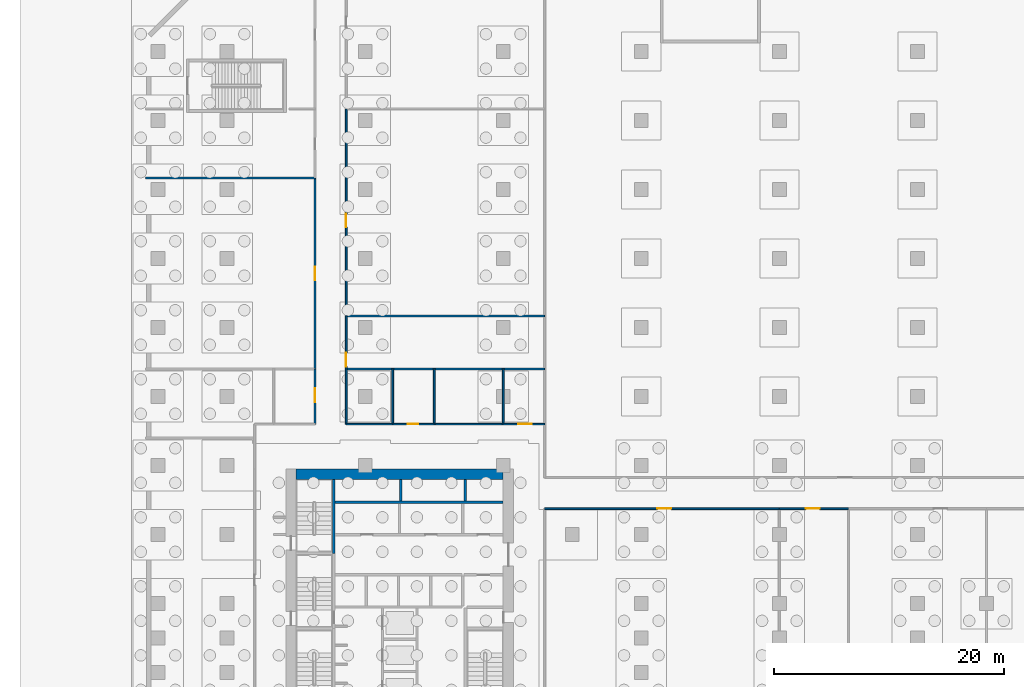
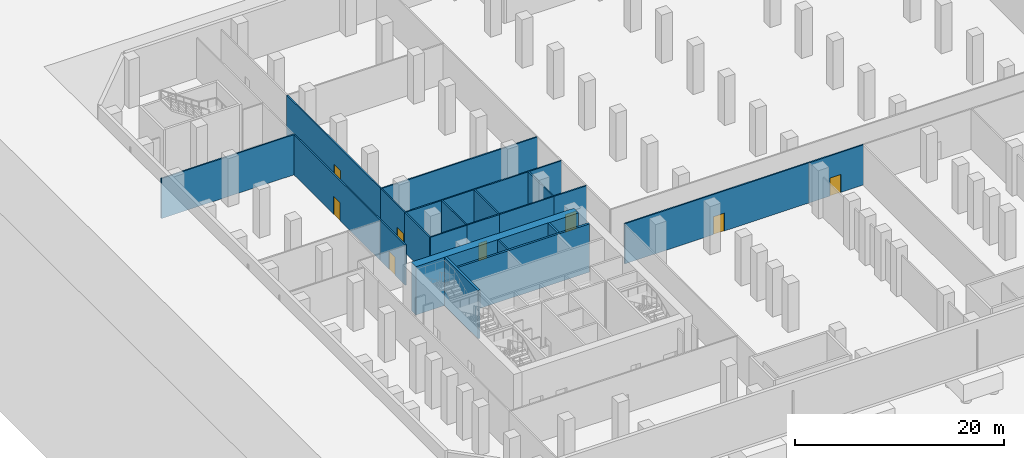
# One storey, part 8 of 16: 22 walls, 8 doors, 8 openings.
"""IFC4 building model written with IfcOpenShell, lengths in metres."""

from ifc_helpers import new_model, si_unit, direction, frame, frame_2d, origin, place, context, subcontext, project, spatial, rectangle, extrude, material, layer, layer_set, type_object, element, fill, save


model = new_model("IFC4")

# Units and contexts
model_context = context("Model", 3, precision=1e-05, world=origin(), true_north=direction((0.0, 1.0)))
body_context = subcontext(model_context, "Body", "Model", "MODEL_VIEW")
ifc_project = project(units=[si_unit("LENGTHUNIT", "METRE"), si_unit("AREAUNIT", "SQUARE_METRE"), si_unit("VOLUMEUNIT", "CUBIC_METRE"), si_unit("PLANEANGLEUNIT", "RADIAN"), si_unit("MASSUNIT", "GRAM", prefix="KILO")], contexts=[model_context])

# Site, building, storey
site_placement = place(None, origin())
site = spatial("IfcSite", under=ifc_project, at=site_placement, CompositionType="ELEMENT")
building_placement = place(site_placement, origin())
building = spatial("IfcBuilding", under=site, at=building_placement, Name="Welwitschia Terrace Campus", CompositionType="ELEMENT")
storey_placement = place(building_placement, frame((0.0, 0.0, -6.0)))
storey = spatial("IfcBuildingStorey", under=building, at=storey_placement, Name="B1", CompositionType="ELEMENT", Elevation=-6.0)

# Walls
ifc_material_1 = material(Name="Concrete C32/40", Category="concrete")
ifc_layer_1 = layer(ifc_material_1, 0.22509765625)
ifc_layer_set_1 = layer_set([ifc_layer_1], Name="Concrete C32/40")
wall_type_1 = type_object("IfcWallType", Name="Core partition 225 Concrete C32/40", PredefinedType="PARTITIONING", material=ifc_layer_set_1)
wall_1_placement = place(storey_placement, frame((9.39990234375, 22.800048828125, 0.0), z_axis=(0.0, 0.0, 1.0), x_axis=(1.0, 0.0, 0.0)))
element("IfcWall", 1, at=wall_1_placement, inside=storey, type_object=wall_type_1, Name="Shaft wall", PredefinedType="PARTITIONING", context=body_context, shape_type="SweptSolid", body=[
    extrude(rectangle(XDim=14.60009765625, YDim=0.22509765625, at=frame_2d((7.300048828125, 0.0))), origin(), (0.0, 0.0, 1.0), 5.64990234375),
])
ifc_material_2 = material(Name="Concrete C50/60", Category="concrete")
ifc_layer_2 = layer(ifc_material_2, 0.199951171875)
ifc_layer_set_2 = layer_set([ifc_layer_2], Name="Concrete C50/60")
wall_type_2 = type_object("IfcWallType", Name="Core wall 200 Concrete C50/60", PredefinedType="SHEAR", material=ifc_layer_set_2)
for number, where, z_axis, x_axis, name in (
    (2, (15.10009765625, 22.89990234375, 0.0), (0.0, 0.0, 1.0), (0.0, 1.0, 0.0), "Core wall"),
    (3, (20.699951171875, 22.89990234375, 0.0), (0.0, 0.0, 1.0), (0.0, 1.0, 0.0), "Core wall"),
):
    element("IfcWall", number, at=place(storey_placement, frame(where, z_axis=z_axis, x_axis=x_axis)), inside=storey, type_object=wall_type_2, Name=name, PredefinedType="SHEAR", context=body_context, shape_type="SweptSolid", body=[
        extrude(rectangle(XDim=1.900146484375, YDim=0.199951171875, at=frame_2d((0.9501953125, 0.0))), origin(), (0.0, 0.0, 1.0), 5.64990234375),
    ])
ifc_material_3 = material(Name="Concrete C50/60", Category="concrete")
ifc_layer_3 = layer(ifc_material_3, 0.25)
ifc_layer_set_3 = layer_set([ifc_layer_3], Name="Concrete C50/60")
wall_type_3 = type_object("IfcWallType", Name="Core wall 250 Concrete C50/60", PredefinedType="SHEAR", material=ifc_layer_set_3)
wall_2_placement = place(storey_placement, frame((9.27490234375, 18.375, 0.0), z_axis=(0.0, 0.0, 1.0), x_axis=(0.0, 1.0, 0.0)))
element("IfcWall", 4, at=wall_2_placement, inside=storey, type_object=wall_type_3, Name="Core wall", PredefinedType="SHEAR", context=body_context, shape_type="SweptSolid", body=[
    extrude(rectangle(XDim=6.425048828125, YDim=0.25, at=frame_2d((3.21240234375, 0.0))), origin(), (0.0, 0.0, 1.0), 5.64990234375),
])
ifc_material_4 = material(Name="Concrete C70/85", Category="concrete")
ifc_layer_4 = layer(ifc_material_4, 0.89990234375)
ifc_layer_set_4 = layer_set([ifc_layer_4], Name="Concrete C70/85")
wall_type_4 = type_object("IfcWallType", Name="Core wall 900 Concrete C70/85", PredefinedType="SHEAR", material=ifc_layer_set_4)
wall_3_placement = place(storey_placement, frame((6.0, 25.25, 0.0), z_axis=(0.0, 0.0, 1.0), x_axis=(1.0, 0.0, 0.0)))
element("IfcWall", 5, at=wall_3_placement, inside=storey, type_object=wall_type_4, Name="Core outer wall", PredefinedType="SHEAR", context=body_context, shape_type="SweptSolid", body=[
    extrude(rectangle(XDim=18.0, YDim=0.89990234375, at=frame_2d((9.0, 0.0))), origin(), (0.0, 0.0, 1.0), 5.64990234375),
])
ifc_material_5 = material(Name="Gypsum board on steel studs", Category="steel")
ifc_layer_5 = layer(ifc_material_5, 0.14990234375)
ifc_layer_set_5 = layer_set([ifc_layer_5], Name="Gypsum board on steel studs")
wall_type_5 = type_object("IfcWallType", Name="Corridor partition 150 EI 30", PredefinedType="PARTITIONING", material=ifc_layer_set_5)
wall_4_placement = place(storey_placement, frame((-7.090087890625, 51.0, 0.0), z_axis=(0.0, 0.0, 1.0), x_axis=(1.0, 0.0, 0.0)))
element("IfcWall", 6, at=wall_4_placement, inside=storey, type_object=wall_type_5, Name="Partition", PredefinedType="PARTITIONING", context=body_context, shape_type="SweptSolid", body=[
    extrude(rectangle(XDim=14.739990234375, YDim=0.14990234375, at=frame_2d((7.3701171875, 0.0))), origin(), (0.0, 0.0, 1.0), 4.699951171875),
])

# Wall, opening, door
wall_5_placement = place(storey_placement, frame((7.64990234375, 29.60009765625, 0.0), z_axis=(0.0, 0.0, 1.0), x_axis=(0.0, 1.0, 0.0)))
wall_5 = element("IfcWall", 7, at=wall_5_placement, inside=storey, type_object=wall_type_5, Name="Partition", PredefinedType="PARTITIONING", context=body_context, shape_type="SweptSolid", body=[
    extrude(rectangle(XDim=4.7998046875, YDim=0.14990234375, at=frame_2d((2.39990234375, 0.0))), origin(), (0.0, 0.0, 1.0), 4.699951171875),
])
opening_1_placement = place(wall_5_placement, frame((1.89990234375, 0.0, 0.0)))
opening_1 = element("IfcOpeningElement", 8, at=opening_1_placement, cuts=wall_5, Name="Opening DX12", PredefinedType="OPENING", context=body_context, shape_type="SweptSolid", body=[
    extrude(rectangle(XDim=1.199951171875, YDim=2.10009765625, at=frame_2d((0.60009765625, 1.050048828125))), frame((0.0, 0.0849609375, 0.0), z_axis=(0.0, -1.0, 0.0), x_axis=(1.0, 0.0, 0.0)), (0.0, 0.0, 1.0), 0.169921875),
])
ifc_material_6 = material(Name="Timber veneered door", Category="wood")
door_type_1 = type_object("IfcDoorType", Name="Interior door DX12", OperationType="NOTDEFINED", PredefinedType="DOOR", material=ifc_material_6)
door_1_placement = place(opening_1_placement, origin())
door_1 = element("IfcDoor", 9, at=door_1_placement, inside=storey, type_object=door_type_1, Name="Door B1 001", OperationType="SINGLE_SWING_RIGHT", OverallHeight=2.10009765625, OverallWidth=1.199951171875, PredefinedType="DOOR", context=body_context, shape_type="SweptSolid", body=[
    extrude(rectangle(XDim=1.199951171875, YDim=2.10009765625, at=frame_2d((0.60009765625, 1.050048828125))), frame((0.0, 0.02490234375, 0.0), z_axis=(0.0, -1.0, 0.0), x_axis=(1.0, 0.0, 0.0)), (0.0, 0.0, 1.0), 0.050048828125),
])
fill(opening_1, door_1)

wall_6_placement = place(storey_placement, frame((7.64990234375, 34.39990234375, 0.0), z_axis=(0.0, 0.0, 1.0), x_axis=(0.0, 1.0, 0.0)))
wall_6 = element("IfcWall", 10, at=wall_6_placement, inside=storey, type_object=wall_type_5, Name="Partition", PredefinedType="PARTITIONING", context=body_context, shape_type="SweptSolid", body=[
    extrude(rectangle(XDim=16.60009765625, YDim=0.14990234375, at=frame_2d((8.300048828125, 0.0))), origin(), (0.0, 0.0, 1.0), 4.699951171875),
])
opening_2_placement = place(wall_6_placement, frame((7.699951171875, 0.0, 0.0)))
opening_2 = element("IfcOpeningElement", 11, at=opening_2_placement, cuts=wall_6, Name="Opening DX12", PredefinedType="OPENING", context=body_context, shape_type="SweptSolid", body=[
    extrude(rectangle(XDim=1.199951171875, YDim=2.10009765625, at=frame_2d((0.60009765625, 1.050048828125))), frame((0.0, 0.0849609375, 0.0), z_axis=(0.0, -1.0, 0.0), x_axis=(1.0, 0.0, 0.0)), (0.0, 0.0, 1.0), 0.169921875),
])
door_2_placement = place(opening_2_placement, origin())
door_2 = element("IfcDoor", 12, at=door_2_placement, inside=storey, type_object=door_type_1, Name="Door B1 002", OperationType="SINGLE_SWING_LEFT", OverallHeight=2.10009765625, OverallWidth=1.199951171875, PredefinedType="DOOR", context=body_context, shape_type="SweptSolid", body=[
    extrude(rectangle(XDim=1.199951171875, YDim=2.10009765625, at=frame_2d((0.60009765625, 1.050048828125))), frame((0.0, 0.02490234375, 0.0), z_axis=(0.0, -1.0, 0.0), x_axis=(1.0, 0.0, 0.0)), (0.0, 0.0, 1.0), 0.050048828125),
])
fill(opening_2, door_2)

# Walls
wall_7_placement = place(storey_placement, frame((10.35009765625, 29.60009765625, 0.0), z_axis=(0.0, 0.0, 1.0), x_axis=(0.0, 1.0, 0.0)))
element("IfcWall", 13, at=wall_7_placement, inside=storey, type_object=wall_type_5, Name="Partition", PredefinedType="PARTITIONING", context=body_context, shape_type="SweptSolid", body=[
    extrude(rectangle(XDim=4.7998046875, YDim=0.14990234375, at=frame_2d((2.39990234375, 0.0))), origin(), (0.0, 0.0, 1.0), 4.699951171875),
])
wall_8_placement = place(storey_placement, frame((10.35009765625, 29.60009765625, 0.0), z_axis=(0.0, 0.0, 1.0), x_axis=(1.0, 0.0, 0.0)))
element("IfcWall", 14, at=wall_8_placement, inside=storey, type_object=wall_type_5, Name="Partition", PredefinedType="PARTITIONING", context=body_context, shape_type="SweptSolid", body=[
    extrude(rectangle(XDim=4.0498046875, YDim=0.14990234375, at=frame_2d((2.02490234375, 0.0))), origin(), (0.0, 0.0, 1.0), 4.699951171875),
])
wall_9_placement = place(storey_placement, frame((10.35009765625, 34.39990234375, 0.0), z_axis=(0.0, 0.0, 1.0), x_axis=(1.0, 0.0, 0.0)))
element("IfcWall", 15, at=wall_9_placement, inside=storey, type_object=wall_type_5, Name="Partition", PredefinedType="PARTITIONING", context=body_context, shape_type="SweptSolid", body=[
    extrude(rectangle(XDim=17.25, YDim=0.14990234375, at=frame_2d((8.625, 0.0))), origin(), (0.0, 0.0, 1.0), 4.699951171875),
])

# Wall, opening, door
wall_10_placement = place(storey_placement, frame((10.35009765625, 39.0, 0.0), z_axis=(0.0, 0.0, 1.0), x_axis=(0.0, -1.0, 0.0)))
wall_10 = element("IfcWall", 16, at=wall_10_placement, inside=storey, type_object=wall_type_5, Name="Partition", PredefinedType="PARTITIONING", context=body_context, shape_type="SweptSolid", body=[
    extrude(rectangle(XDim=4.60009765625, YDim=0.14990234375, at=frame_2d((2.300048828125, 0.0))), origin(), (0.0, 0.0, 1.0), 4.699951171875),
])
opening_3_placement = place(wall_10_placement, frame((3.199951171875, 0.0, 0.0)))
opening_3 = element("IfcOpeningElement", 17, at=opening_3_placement, cuts=wall_10, Name="Opening DX12", PredefinedType="OPENING", context=body_context, shape_type="SweptSolid", body=[
    extrude(rectangle(XDim=1.199951171875, YDim=2.10009765625, at=frame_2d((0.60009765625, 1.050048828125))), frame((0.0, 0.0849609375, 0.0), z_axis=(0.0, -1.0, 0.0), x_axis=(1.0, 0.0, 0.0)), (0.0, 0.0, 1.0), 0.169921875),
])
door_3_placement = place(opening_3_placement, origin())
door_3 = element("IfcDoor", 18, at=door_3_placement, inside=storey, type_object=door_type_1, Name="Door B1 005", OperationType="SINGLE_SWING_RIGHT", OverallHeight=2.10009765625, OverallWidth=1.199951171875, PredefinedType="DOOR", context=body_context, shape_type="SweptSolid", body=[
    extrude(rectangle(XDim=1.199951171875, YDim=2.10009765625, at=frame_2d((0.60009765625, 1.050048828125))), frame((0.0, 0.02490234375, 0.0), z_axis=(0.0, -1.0, 0.0), x_axis=(1.0, 0.0, 0.0)), (0.0, 0.0, 1.0), 0.050048828125),
])
fill(opening_3, door_3)

# Wall
wall_11_placement = place(storey_placement, frame((10.35009765625, 39.0, 0.0), z_axis=(0.0, 0.0, 1.0), x_axis=(1.0, 0.0, 0.0)))
element("IfcWall", 19, at=wall_11_placement, inside=storey, type_object=wall_type_5, Name="Partition", PredefinedType="PARTITIONING", context=body_context, shape_type="SweptSolid", body=[
    extrude(rectangle(XDim=17.25, YDim=0.14990234375, at=frame_2d((8.625, 0.0))), origin(), (0.0, 0.0, 1.0), 4.699951171875),
])

# Wall, opening, door
wall_12_placement = place(storey_placement, frame((10.35009765625, 57.0, 0.0), z_axis=(0.0, 0.0, 1.0), x_axis=(0.0, -1.0, 0.0)))
wall_12 = element("IfcWall", 20, at=wall_12_placement, inside=storey, type_object=wall_type_5, Name="Partition", PredefinedType="PARTITIONING", context=body_context, shape_type="SweptSolid", body=[
    extrude(rectangle(XDim=18.0, YDim=0.14990234375, at=frame_2d((9.0, 0.0))), origin(), (0.0, 0.0, 1.0), 4.699951171875),
])
opening_4_placement = place(wall_12_placement, frame((9.10009765625, 0.0, 0.0)))
opening_4 = element("IfcOpeningElement", 21, at=opening_4_placement, cuts=wall_12, Name="Opening DX12", PredefinedType="OPENING", context=body_context, shape_type="SweptSolid", body=[
    extrude(rectangle(XDim=1.199951171875, YDim=2.10009765625, at=frame_2d((0.60009765625, 1.050048828125))), frame((0.0, 0.0849609375, 0.0), z_axis=(0.0, -1.0, 0.0), x_axis=(1.0, 0.0, 0.0)), (0.0, 0.0, 1.0), 0.169921875),
])
door_4_placement = place(opening_4_placement, origin())
door_4 = element("IfcDoor", 22, at=door_4_placement, inside=storey, type_object=door_type_1, Name="Door B1 006", OperationType="SINGLE_SWING_LEFT", OverallHeight=2.10009765625, OverallWidth=1.199951171875, PredefinedType="DOOR", context=body_context, shape_type="SweptSolid", body=[
    extrude(rectangle(XDim=1.199951171875, YDim=2.10009765625, at=frame_2d((0.60009765625, 1.050048828125))), frame((0.0, 0.02490234375, 0.0), z_axis=(0.0, -1.0, 0.0), x_axis=(1.0, 0.0, 0.0)), (0.0, 0.0, 1.0), 0.050048828125),
])
fill(opening_4, door_4)

# Wall
wall_13_placement = place(storey_placement, frame((14.39990234375, 29.60009765625, 0.0), z_axis=(0.0, 0.0, 1.0), x_axis=(0.0, 1.0, 0.0)))
element("IfcWall", 23, at=wall_13_placement, inside=storey, type_object=wall_type_5, Name="Partition", PredefinedType="PARTITIONING", context=body_context, shape_type="SweptSolid", body=[
    extrude(rectangle(XDim=4.7998046875, YDim=0.14990234375, at=frame_2d((2.39990234375, 0.0))), origin(), (0.0, 0.0, 1.0), 4.699951171875),
])

# Wall, opening, door
wall_14_placement = place(storey_placement, frame((14.39990234375, 29.60009765625, 0.0), z_axis=(0.0, 0.0, 1.0), x_axis=(1.0, 0.0, 0.0)))
wall_14 = element("IfcWall", 24, at=wall_14_placement, inside=storey, type_object=wall_type_5, Name="Partition", PredefinedType="PARTITIONING", context=body_context, shape_type="SweptSolid", body=[
    extrude(rectangle(XDim=3.60009765625, YDim=0.14990234375, at=frame_2d((1.800048828125, 0.0))), origin(), (0.0, 0.0, 1.0), 4.699951171875),
])
opening_5_placement = place(wall_14_placement, frame((1.300048828125, 0.0, 0.0)))
opening_5 = element("IfcOpeningElement", 25, at=opening_5_placement, cuts=wall_14, Name="Opening DI09", PredefinedType="OPENING", context=body_context, shape_type="SweptSolid", body=[
    extrude(rectangle(XDim=0.89990234375, YDim=2.10009765625, at=frame_2d((0.449951171875, 1.050048828125))), frame((0.0, 0.0849609375, 0.0), z_axis=(0.0, -1.0, 0.0), x_axis=(1.0, 0.0, 0.0)), (0.0, 0.0, 1.0), 0.169921875),
])
ifc_material_7 = material(Name="Timber veneered door", Category="wood")
door_type_2 = type_object("IfcDoorType", Name="Interior door DI09", OperationType="NOTDEFINED", PredefinedType="DOOR", material=ifc_material_7)
door_5_placement = place(opening_5_placement, origin())
door_5 = element("IfcDoor", 26, at=door_5_placement, inside=storey, type_object=door_type_2, Name="Door B1 008", OperationType="SINGLE_SWING_LEFT", OverallHeight=2.10009765625, OverallWidth=0.89990234375, PredefinedType="DOOR", context=body_context, shape_type="SweptSolid", body=[
    extrude(rectangle(XDim=0.89990234375, YDim=2.10009765625, at=frame_2d((0.449951171875, 1.050048828125))), frame((0.0, 0.02490234375, 0.0), z_axis=(0.0, -1.0, 0.0), x_axis=(1.0, 0.0, 0.0)), (0.0, 0.0, 1.0), 0.050048828125),
])
fill(opening_5, door_5)

# Walls
wall_15_placement = place(storey_placement, frame((18.0, 29.60009765625, 0.0), z_axis=(0.0, 0.0, 1.0), x_axis=(0.0, 1.0, 0.0)))
element("IfcWall", 27, at=wall_15_placement, inside=storey, type_object=wall_type_5, Name="Partition", PredefinedType="PARTITIONING", context=body_context, shape_type="SweptSolid", body=[
    extrude(rectangle(XDim=4.7998046875, YDim=0.14990234375, at=frame_2d((2.39990234375, 0.0))), origin(), (0.0, 0.0, 1.0), 4.699951171875),
])
wall_16_placement = place(storey_placement, frame((18.0, 29.60009765625, 0.0), z_axis=(0.0, 0.0, 1.0), x_axis=(1.0, 0.0, 0.0)))
element("IfcWall", 28, at=wall_16_placement, inside=storey, type_object=wall_type_5, Name="Partition", PredefinedType="PARTITIONING", context=body_context, shape_type="SweptSolid", body=[
    extrude(rectangle(XDim=6.0, YDim=0.14990234375, at=frame_2d((3.0, 0.0))), origin(), (0.0, 0.0, 1.0), 4.699951171875),
])
wall_17_placement = place(storey_placement, frame((24.0, 29.60009765625, 0.0), z_axis=(0.0, 0.0, 1.0), x_axis=(0.0, 1.0, 0.0)))
element("IfcWall", 29, at=wall_17_placement, inside=storey, type_object=wall_type_5, Name="Partition", PredefinedType="PARTITIONING", context=body_context, shape_type="SweptSolid", body=[
    extrude(rectangle(XDim=4.7998046875, YDim=0.14990234375, at=frame_2d((2.39990234375, 0.0))), origin(), (0.0, 0.0, 1.0), 4.699951171875),
])

# Wall, opening, door
wall_18_placement = place(storey_placement, frame((24.0, 29.60009765625, 0.0), z_axis=(0.0, 0.0, 1.0), x_axis=(1.0, 0.0, 0.0)))
wall_18 = element("IfcWall", 30, at=wall_18_placement, inside=storey, type_object=wall_type_5, Name="Partition", PredefinedType="PARTITIONING", context=body_context, shape_type="SweptSolid", body=[
    extrude(rectangle(XDim=3.60009765625, YDim=0.14990234375, at=frame_2d((1.800048828125, 0.0))), origin(), (0.0, 0.0, 1.0), 4.699951171875),
])
opening_6_placement = place(wall_18_placement, frame((1.300048828125, 0.0, 0.0)))
opening_6 = element("IfcOpeningElement", 31, at=opening_6_placement, cuts=wall_18, Name="Opening DX12", PredefinedType="OPENING", context=body_context, shape_type="SweptSolid", body=[
    extrude(rectangle(XDim=1.199951171875, YDim=2.10009765625, at=frame_2d((0.60009765625, 1.050048828125))), frame((0.0, 0.0849609375, 0.0), z_axis=(0.0, -1.0, 0.0), x_axis=(1.0, 0.0, 0.0)), (0.0, 0.0, 1.0), 0.169921875),
])
door_6_placement = place(opening_6_placement, origin())
door_6 = element("IfcDoor", 32, at=door_6_placement, inside=storey, type_object=door_type_1, Name="Door B1 009", OperationType="SINGLE_SWING_RIGHT", OverallHeight=2.10009765625, OverallWidth=1.199951171875, PredefinedType="DOOR", context=body_context, shape_type="SweptSolid", body=[
    extrude(rectangle(XDim=1.199951171875, YDim=2.10009765625, at=frame_2d((0.60009765625, 1.050048828125))), frame((0.0, 0.02490234375, 0.0), z_axis=(0.0, -1.0, 0.0), x_axis=(1.0, 0.0, 0.0)), (0.0, 0.0, 1.0), 0.050048828125),
])
fill(opening_6, door_6)

wall_19_placement = place(storey_placement, frame((48.0, 22.25, 0.0), z_axis=(0.0, 0.0, 1.0), x_axis=(-1.0, 0.0, 0.0)))
wall_19 = element("IfcWall", 33, at=wall_19_placement, inside=storey, type_object=wall_type_5, Name="Partition", PredefinedType="PARTITIONING", context=body_context, shape_type="SweptSolid", body=[
    extrude(rectangle(XDim=20.39990234375, YDim=0.14990234375, at=frame_2d((10.199951171875, 0.0))), origin(), (0.0, 0.0, 1.0), 4.699951171875),
])
opening_7_placement = place(wall_19_placement, frame((9.39990234375, 0.0, 0.0)))
opening_7 = element("IfcOpeningElement", 34, at=opening_7_placement, cuts=wall_19, Name="Opening DX12", PredefinedType="OPENING", context=body_context, shape_type="SweptSolid", body=[
    extrude(rectangle(XDim=1.199951171875, YDim=2.10009765625, at=frame_2d((0.60009765625, 1.050048828125))), frame((0.0, 0.0849609375, 0.0), z_axis=(0.0, -1.0, 0.0), x_axis=(1.0, 0.0, 0.0)), (0.0, 0.0, 1.0), 0.169921875),
])
door_7_placement = place(opening_7_placement, origin())
door_7 = element("IfcDoor", 35, at=door_7_placement, inside=storey, type_object=door_type_1, Name="Door B1 012", OperationType="SINGLE_SWING_LEFT", OverallHeight=2.10009765625, OverallWidth=1.199951171875, PredefinedType="DOOR", context=body_context, shape_type="SweptSolid", body=[
    extrude(rectangle(XDim=1.199951171875, YDim=2.10009765625, at=frame_2d((0.60009765625, 1.050048828125))), frame((0.0, 0.02490234375, 0.0), z_axis=(0.0, -1.0, 0.0), x_axis=(1.0, 0.0, 0.0)), (0.0, 0.0, 1.0), 0.050048828125),
])
fill(opening_7, door_7)

wall_20_placement = place(storey_placement, frame((54.0, 22.25, 0.0), z_axis=(0.0, 0.0, 1.0), x_axis=(-1.0, 0.0, 0.0)))
wall_20 = element("IfcWall", 36, at=wall_20_placement, inside=storey, type_object=wall_type_5, Name="Partition", PredefinedType="PARTITIONING", context=body_context, shape_type="SweptSolid", body=[
    extrude(rectangle(XDim=6.0, YDim=0.14990234375, at=frame_2d((3.0, 0.0))), origin(), (0.0, 0.0, 1.0), 4.699951171875),
])
opening_8_placement = place(wall_20_placement, frame((2.5, 0.0, 0.0)))
opening_8 = element("IfcOpeningElement", 37, at=opening_8_placement, cuts=wall_20, Name="Opening DX12", PredefinedType="OPENING", context=body_context, shape_type="SweptSolid", body=[
    extrude(rectangle(XDim=1.199951171875, YDim=2.10009765625, at=frame_2d((0.60009765625, 1.050048828125))), frame((0.0, 0.0849609375, 0.0), z_axis=(0.0, -1.0, 0.0), x_axis=(1.0, 0.0, 0.0)), (0.0, 0.0, 1.0), 0.169921875),
])
door_8_placement = place(opening_8_placement, origin())
door_8 = element("IfcDoor", 38, at=door_8_placement, inside=storey, type_object=door_type_1, Name="Door B1 013", OperationType="SINGLE_SWING_RIGHT", OverallHeight=2.10009765625, OverallWidth=1.199951171875, PredefinedType="DOOR", context=body_context, shape_type="SweptSolid", body=[
    extrude(rectangle(XDim=1.199951171875, YDim=2.10009765625, at=frame_2d((0.60009765625, 1.050048828125))), frame((0.0, 0.02490234375, 0.0), z_axis=(0.0, -1.0, 0.0), x_axis=(1.0, 0.0, 0.0)), (0.0, 0.0, 1.0), 0.050048828125),
])
fill(opening_8, door_8)

save(model, "model.ifc")
